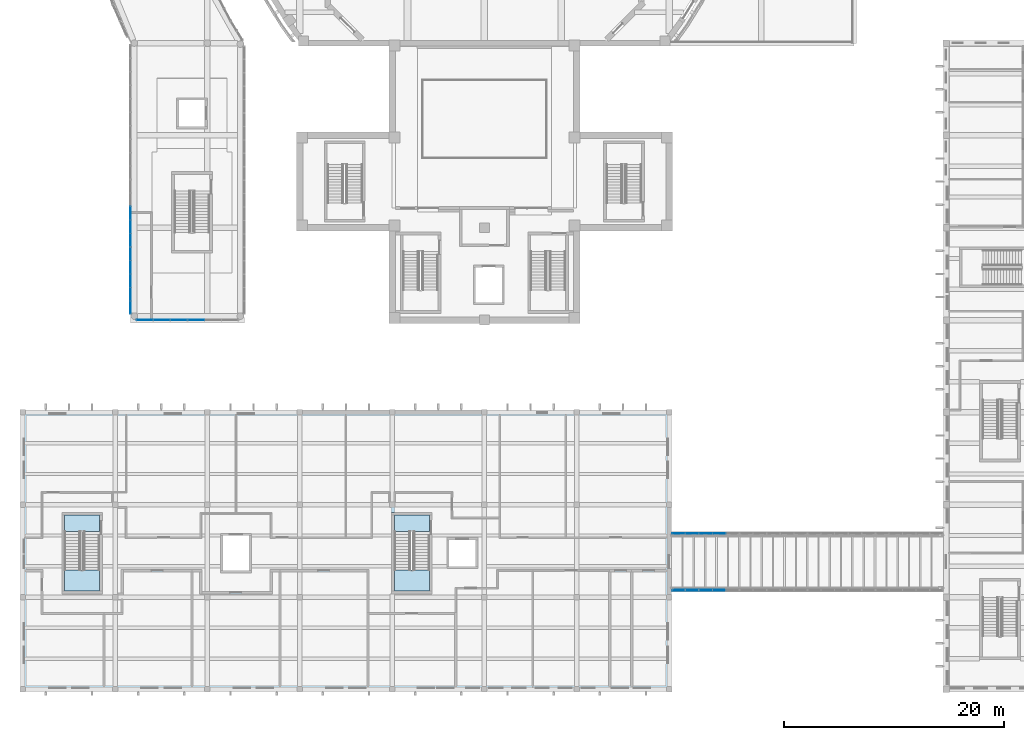
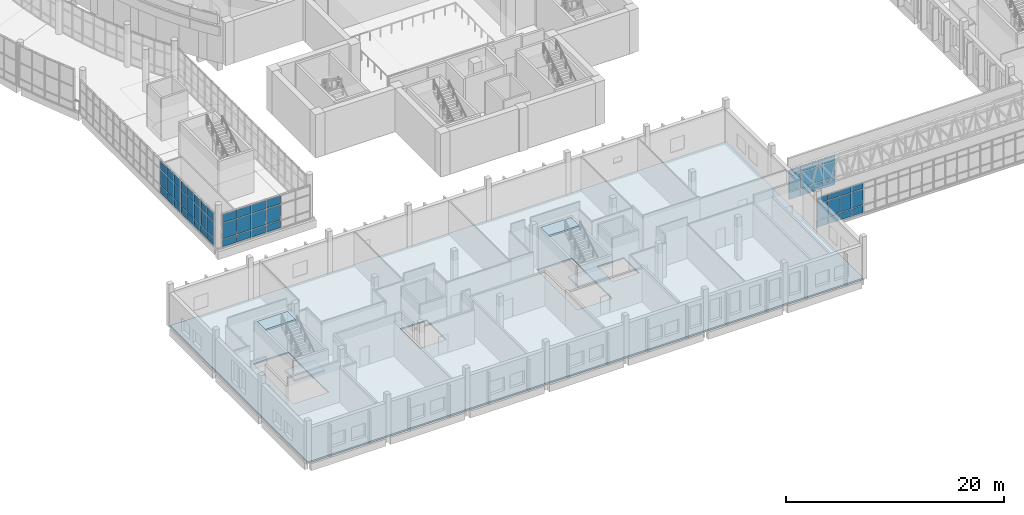
# One storey, part 41 of 119: 60 plates, 5 slabs, 8 elements without a shape of their own.
"""IFC4 building model written with IfcOpenShell, lengths in metres."""

from ifc_helpers import new_model, si_unit, direction, frame, origin, origin_2d, place, context, subcontext, project, spatial, polyline, rectangle, outline, extrude, material, layer, layer_set, type_object, element, aggregate, save


model = new_model("IFC4")

# Units and contexts
model_context = context("Model", 3, precision=1e-05, world=origin(), true_north=direction((0.0, 1.0)))
body_context = subcontext(model_context, "Body", "Model", "MODEL_VIEW")
ifc_project = project(units=[si_unit("LENGTHUNIT", "METRE"), si_unit("AREAUNIT", "SQUARE_METRE"), si_unit("VOLUMEUNIT", "CUBIC_METRE"), si_unit("PLANEANGLEUNIT", "RADIAN"), si_unit("MASSUNIT", "GRAM", prefix="KILO")], contexts=[model_context])

# Site, building, storey
site_placement = place(None, origin())
site = spatial("IfcSite", under=ifc_project, at=site_placement, CompositionType="ELEMENT")
building_placement = place(site_placement, origin())
building = spatial("IfcBuilding", under=site, at=building_placement, Name="Larchfold Concert Hall", CompositionType="ELEMENT")
storey_placement = place(building_placement, frame((0.0, 0.0, 4.800048828125)))
storey = spatial("IfcBuildingStorey", under=building, at=storey_placement, Name="L01", CompositionType="ELEMENT", Elevation=4.800048828125)

# Curtain wall, plates
ifc_material_1 = material(Name="Anodised graphite aluminium curtain wall", Category="aluminium")
ifc_layer_1 = layer(ifc_material_1, 0.14990234375)
ifc_layer_set_1 = layer_set([ifc_layer_1], Name="Anodised graphite aluminium curtain wall")
curtain_wall_type = type_object("IfcCurtainWallType", Name="Curtain wall WG", PredefinedType="NOTDEFINED", material=ifc_layer_set_1)
curtain_wall_1_placement = place(storey_placement, origin())
curtain_wall_1 = element("IfcCurtainWall", 1, at=curtain_wall_1_placement, inside=storey, type_object=curtain_wall_type, Name="Curtain wall CW0206", PredefinedType="NOTDEFINED")
ifc_material_2 = material(Name="Insulated glazing unit, glass", Category="glass")
ifc_layer_2 = layer(ifc_material_2, 0.028076171875)
ifc_layer_set_2 = layer_set([ifc_layer_2], Name="Insulated glazing unit, glass")
plate_type_1 = type_object("IfcPlateType", Name="Glass panel 28", PredefinedType="CURTAIN_PANEL", material=ifc_layer_set_2)
plate_1_placement = place(storey_placement, frame((10.408447265625, 43.908447265625, 0.93994140625), z_axis=(0.0, 0.0, 1.0), x_axis=(0.0, -1.0, 0.0)))
plate_1 = element("IfcPlate", 2, at=plate_1_placement, type_object=plate_type_1, Name="CW0206 panel 3.2", PredefinedType="CURTAIN_PANEL", context=body_context, shape_type="SweptSolid", body=[
    extrude(rectangle(XDim=1.166748046875, YDim=0.028076171875, at=origin_2d()), origin(), (0.0, 0.0, 1.0), 1.719970703125),
])
plate_2_placement = place(storey_placement, frame((10.408447265625, 43.908447265625, 2.740234375), z_axis=(0.0, 0.0, 1.0), x_axis=(0.0, -1.0, 0.0)))
plate_2 = element("IfcPlate", 3, at=plate_2_placement, type_object=plate_type_1, Name="CW0206 panel 3.3", PredefinedType="CURTAIN_PANEL", context=body_context, shape_type="SweptSolid", body=[
    extrude(rectangle(XDim=1.166748046875, YDim=0.028076171875, at=origin_2d()), origin(), (0.0, 0.0, 1.0), 0.929931640625),
])
plate_3_placement = place(storey_placement, frame((10.408447265625, 42.681884765625, 0.93994140625), z_axis=(0.0, 0.0, 1.0), x_axis=(0.0, -1.0, 0.0)))
plate_3 = element("IfcPlate", 4, at=plate_3_placement, type_object=plate_type_1, Name="CW0206 panel 4.2", PredefinedType="CURTAIN_PANEL", context=body_context, shape_type="SweptSolid", body=[
    extrude(rectangle(XDim=1.166748046875, YDim=0.028076171875, at=origin_2d()), origin(), (0.0, 0.0, 1.0), 1.719970703125),
])
plate_4_placement = place(storey_placement, frame((10.408447265625, 42.681884765625, 2.740234375), z_axis=(0.0, 0.0, 1.0), x_axis=(0.0, -1.0, 0.0)))
plate_4 = element("IfcPlate", 5, at=plate_4_placement, type_object=plate_type_1, Name="CW0206 panel 4.3", PredefinedType="CURTAIN_PANEL", context=body_context, shape_type="SweptSolid", body=[
    extrude(rectangle(XDim=1.166748046875, YDim=0.028076171875, at=origin_2d()), origin(), (0.0, 0.0, 1.0), 0.929931640625),
])
plate_5_placement = place(storey_placement, frame((10.408447265625, 41.47021484375, 0.93994140625), z_axis=(0.0, 0.0, 1.0), x_axis=(0.0, -1.0, 0.0)))
plate_5 = element("IfcPlate", 6, at=plate_5_placement, type_object=plate_type_1, Name="CW0206 panel 5.2", PredefinedType="CURTAIN_PANEL", context=body_context, shape_type="SweptSolid", body=[
    extrude(rectangle(XDim=1.13671875, YDim=0.028076171875, at=origin_2d()), origin(), (0.0, 0.0, 1.0), 1.719970703125),
])
plate_6_placement = place(storey_placement, frame((10.408447265625, 41.47021484375, 2.740234375), z_axis=(0.0, 0.0, 1.0), x_axis=(0.0, -1.0, 0.0)))
plate_6 = element("IfcPlate", 7, at=plate_6_placement, type_object=plate_type_1, Name="CW0206 panel 5.3", PredefinedType="CURTAIN_PANEL", context=body_context, shape_type="SweptSolid", body=[
    extrude(rectangle(XDim=1.13671875, YDim=0.028076171875, at=origin_2d()), origin(), (0.0, 0.0, 1.0), 0.929931640625),
])

curtain_wall_2_placement = place(storey_placement, origin())
curtain_wall_2 = element("IfcCurtainWall", 8, at=curtain_wall_2_placement, inside=storey, type_object=curtain_wall_type, Name="Curtain wall CW0207", PredefinedType="NOTDEFINED")
plate_7_placement = place(storey_placement, frame((10.408447265625, 40.21337890625, 0.93994140625), z_axis=(0.0, 0.0, 1.0), x_axis=(0.0, -1.0, 0.0)))
plate_7 = element("IfcPlate", 9, at=plate_7_placement, type_object=plate_type_1, Name="CW0207 panel 1.2", PredefinedType="CURTAIN_PANEL", context=body_context, shape_type="SweptSolid", body=[
    extrude(rectangle(XDim=1.13671875, YDim=0.028076171875, at=origin_2d()), origin(), (0.0, 0.0, 1.0), 1.719970703125),
])
plate_8_placement = place(storey_placement, frame((10.408447265625, 40.21337890625, 2.740234375), z_axis=(0.0, 0.0, 1.0), x_axis=(0.0, -1.0, 0.0)))
plate_8 = element("IfcPlate", 10, at=plate_8_placement, type_object=plate_type_1, Name="CW0207 panel 1.3", PredefinedType="CURTAIN_PANEL", context=body_context, shape_type="SweptSolid", body=[
    extrude(rectangle(XDim=1.13671875, YDim=0.028076171875, at=origin_2d()), origin(), (0.0, 0.0, 1.0), 0.929931640625),
])
plate_9_placement = place(storey_placement, frame((10.408447265625, 39.001953125, 0.93994140625), z_axis=(0.0, 0.0, 1.0), x_axis=(0.0, -1.0, 0.0)))
plate_9 = element("IfcPlate", 11, at=plate_9_placement, type_object=plate_type_1, Name="CW0207 panel 2.2", PredefinedType="CURTAIN_PANEL", context=body_context, shape_type="SweptSolid", body=[
    extrude(rectangle(XDim=1.16650390625, YDim=0.028076171875, at=origin_2d()), origin(), (0.0, 0.0, 1.0), 1.719970703125),
])
plate_10_placement = place(storey_placement, frame((10.408447265625, 39.001953125, 2.740234375), z_axis=(0.0, 0.0, 1.0), x_axis=(0.0, -1.0, 0.0)))
plate_10 = element("IfcPlate", 12, at=plate_10_placement, type_object=plate_type_1, Name="CW0207 panel 2.3", PredefinedType="CURTAIN_PANEL", context=body_context, shape_type="SweptSolid", body=[
    extrude(rectangle(XDim=1.16650390625, YDim=0.028076171875, at=origin_2d()), origin(), (0.0, 0.0, 1.0), 0.929931640625),
])
plate_11_placement = place(storey_placement, frame((10.408447265625, 37.775390625, 0.93994140625), z_axis=(0.0, 0.0, 1.0), x_axis=(0.0, -1.0, 0.0)))
plate_11 = element("IfcPlate", 13, at=plate_11_placement, type_object=plate_type_1, Name="CW0207 panel 3.2", PredefinedType="CURTAIN_PANEL", context=body_context, shape_type="SweptSolid", body=[
    extrude(rectangle(XDim=1.16650390625, YDim=0.028076171875, at=origin_2d()), origin(), (0.0, 0.0, 1.0), 1.719970703125),
])
plate_12_placement = place(storey_placement, frame((10.408447265625, 37.775390625, 2.740234375), z_axis=(0.0, 0.0, 1.0), x_axis=(0.0, -1.0, 0.0)))
plate_12 = element("IfcPlate", 14, at=plate_12_placement, type_object=plate_type_1, Name="CW0207 panel 3.3", PredefinedType="CURTAIN_PANEL", context=body_context, shape_type="SweptSolid", body=[
    extrude(rectangle(XDim=1.16650390625, YDim=0.028076171875, at=origin_2d()), origin(), (0.0, 0.0, 1.0), 0.929931640625),
])
plate_13_placement = place(storey_placement, frame((10.408447265625, 36.548583984375, 0.93994140625), z_axis=(0.0, 0.0, 1.0), x_axis=(0.0, -1.0, 0.0)))
plate_13 = element("IfcPlate", 15, at=plate_13_placement, type_object=plate_type_1, Name="CW0207 panel 4.2", PredefinedType="CURTAIN_PANEL", context=body_context, shape_type="SweptSolid", body=[
    extrude(rectangle(XDim=1.16650390625, YDim=0.028076171875, at=origin_2d()), origin(), (0.0, 0.0, 1.0), 1.719970703125),
])
plate_14_placement = place(storey_placement, frame((10.408447265625, 36.548583984375, 2.740234375), z_axis=(0.0, 0.0, 1.0), x_axis=(0.0, -1.0, 0.0)))
plate_14 = element("IfcPlate", 16, at=plate_14_placement, type_object=plate_type_1, Name="CW0207 panel 4.3", PredefinedType="CURTAIN_PANEL", context=body_context, shape_type="SweptSolid", body=[
    extrude(rectangle(XDim=1.16650390625, YDim=0.028076171875, at=origin_2d()), origin(), (0.0, 0.0, 1.0), 0.929931640625),
])
plate_15_placement = place(storey_placement, frame((10.408447265625, 35.337158203125, 0.93994140625), z_axis=(0.0, 0.0, 1.0), x_axis=(0.0, -1.0, 0.0)))
plate_15 = element("IfcPlate", 17, at=plate_15_placement, type_object=plate_type_1, Name="CW0207 panel 5.2", PredefinedType="CURTAIN_PANEL", context=body_context, shape_type="SweptSolid", body=[
    extrude(rectangle(XDim=1.13671875, YDim=0.028076171875, at=origin_2d()), origin(), (0.0, 0.0, 1.0), 1.719970703125),
])
plate_16_placement = place(storey_placement, frame((10.408447265625, 35.337158203125, 2.740234375), z_axis=(0.0, 0.0, 1.0), x_axis=(0.0, -1.0, 0.0)))
plate_16 = element("IfcPlate", 18, at=plate_16_placement, type_object=plate_type_1, Name="CW0207 panel 5.3", PredefinedType="CURTAIN_PANEL", context=body_context, shape_type="SweptSolid", body=[
    extrude(rectangle(XDim=1.13671875, YDim=0.028076171875, at=origin_2d()), origin(), (0.0, 0.0, 1.0), 0.929931640625),
])

curtain_wall_3_placement = place(storey_placement, origin())
curtain_wall_3 = element("IfcCurtainWall", 19, at=curtain_wall_3_placement, inside=storey, type_object=curtain_wall_type, Name="Curtain wall CW0208", PredefinedType="NOTDEFINED")
plate_17_placement = place(storey_placement, frame((11.707763671875, 34.199951171875, 0.93994140625), z_axis=(0.0, 0.0, 1.0), x_axis=(1.0, 0.0, 0.0)))
plate_17 = element("IfcPlate", 20, at=plate_17_placement, type_object=plate_type_1, Name="CW0208 panel 1.2", PredefinedType="CURTAIN_PANEL", context=body_context, shape_type="SweptSolid", body=[
    extrude(rectangle(XDim=1.46435546875, YDim=0.028076171875, at=origin_2d()), origin(), (0.0, 0.0, 1.0), 1.719970703125),
])
plate_18_placement = place(storey_placement, frame((11.707763671875, 34.199951171875, 2.740234375), z_axis=(0.0, 0.0, 1.0), x_axis=(1.0, 0.0, 0.0)))
plate_18 = element("IfcPlate", 21, at=plate_18_placement, type_object=plate_type_1, Name="CW0208 panel 1.3", PredefinedType="CURTAIN_PANEL", context=body_context, shape_type="SweptSolid", body=[
    extrude(rectangle(XDim=1.46435546875, YDim=0.028076171875, at=origin_2d()), origin(), (0.0, 0.0, 1.0), 0.929931640625),
])
plate_19_placement = place(storey_placement, frame((13.2470703125, 34.199951171875, 0.93994140625), z_axis=(0.0, 0.0, 1.0), x_axis=(1.0, 0.0, 0.0)))
plate_19 = element("IfcPlate", 22, at=plate_19_placement, type_object=plate_type_1, Name="CW0208 panel 2.2", PredefinedType="CURTAIN_PANEL", context=body_context, shape_type="SweptSolid", body=[
    extrude(rectangle(XDim=1.494384765625, YDim=0.028076171875, at=origin_2d()), origin(), (0.0, 0.0, 1.0), 1.719970703125),
])
plate_20_placement = place(storey_placement, frame((13.2470703125, 34.199951171875, 2.740234375), z_axis=(0.0, 0.0, 1.0), x_axis=(1.0, 0.0, 0.0)))
plate_20 = element("IfcPlate", 23, at=plate_20_placement, type_object=plate_type_1, Name="CW0208 panel 2.3", PredefinedType="CURTAIN_PANEL", context=body_context, shape_type="SweptSolid", body=[
    extrude(rectangle(XDim=1.494384765625, YDim=0.028076171875, at=origin_2d()), origin(), (0.0, 0.0, 1.0), 0.929931640625),
])
plate_21_placement = place(storey_placement, frame((14.786376953125, 34.199951171875, 0.93994140625), z_axis=(0.0, 0.0, 1.0), x_axis=(1.0, 0.0, 0.0)))
plate_21 = element("IfcPlate", 24, at=plate_21_placement, type_object=plate_type_1, Name="CW0208 panel 3.2", PredefinedType="CURTAIN_PANEL", context=body_context, shape_type="SweptSolid", body=[
    extrude(rectangle(XDim=1.46435546875, YDim=0.028076171875, at=origin_2d()), origin(), (0.0, 0.0, 1.0), 1.719970703125),
])
plate_22_placement = place(storey_placement, frame((14.786376953125, 34.199951171875, 2.740234375), z_axis=(0.0, 0.0, 1.0), x_axis=(1.0, 0.0, 0.0)))
plate_22 = element("IfcPlate", 25, at=plate_22_placement, type_object=plate_type_1, Name="CW0208 panel 3.3", PredefinedType="CURTAIN_PANEL", context=body_context, shape_type="SweptSolid", body=[
    extrude(rectangle(XDim=1.46435546875, YDim=0.028076171875, at=origin_2d()), origin(), (0.0, 0.0, 1.0), 0.929931640625),
])

curtain_wall_4_placement = place(storey_placement, origin())
curtain_wall_4 = element("IfcCurtainWall", 26, at=curtain_wall_4_placement, inside=storey, type_object=curtain_wall_type, Name="Curtain wall CW0209", PredefinedType="NOTDEFINED")
plate_23_placement = place(storey_placement, frame((16.370849609375, 34.199951171875, 0.93994140625), z_axis=(0.0, 0.0, 1.0), x_axis=(1.0, 0.0, 0.0)))
plate_23 = element("IfcPlate", 27, at=plate_23_placement, type_object=plate_type_1, Name="CW0209 panel 1.2", PredefinedType="CURTAIN_PANEL", context=body_context, shape_type="SweptSolid", body=[
    extrude(rectangle(XDim=1.46435546875, YDim=0.028076171875, at=origin_2d()), origin(), (0.0, 0.0, 1.0), 1.719970703125),
])
plate_24_placement = place(storey_placement, frame((16.370849609375, 34.199951171875, 2.740234375), z_axis=(0.0, 0.0, 1.0), x_axis=(1.0, 0.0, 0.0)))
plate_24 = element("IfcPlate", 28, at=plate_24_placement, type_object=plate_type_1, Name="CW0209 panel 1.3", PredefinedType="CURTAIN_PANEL", context=body_context, shape_type="SweptSolid", body=[
    extrude(rectangle(XDim=1.46435546875, YDim=0.028076171875, at=origin_2d()), origin(), (0.0, 0.0, 1.0), 0.929931640625),
])

curtain_wall_5_placement = place(storey_placement, origin())
curtain_wall_5 = element("IfcCurtainWall", 29, at=curtain_wall_5_placement, inside=storey, type_object=curtain_wall_type, Name="Curtain wall CW0303", PredefinedType="NOTDEFINED")
plate_25_placement = place(storey_placement, frame((60.2626953125, 9.626708984375, 0.93994140625), z_axis=(0.0, 0.0, 1.0), x_axis=(1.0, 0.0, 0.0)))
plate_25 = element("IfcPlate", 30, at=plate_25_placement, type_object=plate_type_1, Name="CW0303 panel 1.2", PredefinedType="CURTAIN_PANEL", context=body_context, shape_type="SweptSolid", body=[
    extrude(rectangle(XDim=1.145751953125, YDim=0.028076171875, at=origin_2d()), origin(), (0.0, 0.0, 1.0), 1.719970703125),
])
plate_26_placement = place(storey_placement, frame((60.2626953125, 9.626708984375, 2.740234375), z_axis=(0.0, 0.0, 1.0), x_axis=(1.0, 0.0, 0.0)))
plate_26 = element("IfcPlate", 31, at=plate_26_placement, type_object=plate_type_1, Name="CW0303 panel 1.3", PredefinedType="CURTAIN_PANEL", context=body_context, shape_type="SweptSolid", body=[
    extrude(rectangle(XDim=1.145751953125, YDim=0.028076171875, at=origin_2d()), origin(), (0.0, 0.0, 1.0), 0.619873046875),
])
plate_27_placement = place(storey_placement, frame((61.4833984375, 9.626708984375, 0.93994140625), z_axis=(0.0, 0.0, 1.0), x_axis=(1.0, 0.0, 0.0)))
plate_27 = element("IfcPlate", 32, at=plate_27_placement, type_object=plate_type_1, Name="CW0303 panel 2.2", PredefinedType="CURTAIN_PANEL", context=body_context, shape_type="SweptSolid", body=[
    extrude(rectangle(XDim=1.17578125, YDim=0.028076171875, at=origin_2d()), origin(), (0.0, 0.0, 1.0), 1.719970703125),
])
plate_28_placement = place(storey_placement, frame((61.4833984375, 9.626708984375, 2.740234375), z_axis=(0.0, 0.0, 1.0), x_axis=(1.0, 0.0, 0.0)))
plate_28 = element("IfcPlate", 33, at=plate_28_placement, type_object=plate_type_1, Name="CW0303 panel 2.3", PredefinedType="CURTAIN_PANEL", context=body_context, shape_type="SweptSolid", body=[
    extrude(rectangle(XDim=1.17578125, YDim=0.028076171875, at=origin_2d()), origin(), (0.0, 0.0, 1.0), 0.619873046875),
])
plate_29_placement = place(storey_placement, frame((62.71923828125, 9.626708984375, 0.93994140625), z_axis=(0.0, 0.0, 1.0), x_axis=(1.0, 0.0, 0.0)))
plate_29 = element("IfcPlate", 34, at=plate_29_placement, type_object=plate_type_1, Name="CW0303 panel 3.2", PredefinedType="CURTAIN_PANEL", context=body_context, shape_type="SweptSolid", body=[
    extrude(rectangle(XDim=1.17578125, YDim=0.028076171875, at=origin_2d()), origin(), (0.0, 0.0, 1.0), 1.719970703125),
])
plate_30_placement = place(storey_placement, frame((62.71923828125, 9.626708984375, 2.740234375), z_axis=(0.0, 0.0, 1.0), x_axis=(1.0, 0.0, 0.0)))
plate_30 = element("IfcPlate", 35, at=plate_30_placement, type_object=plate_type_1, Name="CW0303 panel 3.3", PredefinedType="CURTAIN_PANEL", context=body_context, shape_type="SweptSolid", body=[
    extrude(rectangle(XDim=1.17578125, YDim=0.028076171875, at=origin_2d()), origin(), (0.0, 0.0, 1.0), 0.619873046875),
])
plate_31_placement = place(storey_placement, frame((63.955078125, 9.626708984375, 0.93994140625), z_axis=(0.0, 0.0, 1.0), x_axis=(1.0, 0.0, 0.0)))
plate_31 = element("IfcPlate", 36, at=plate_31_placement, type_object=plate_type_1, Name="CW0303 panel 4.2", PredefinedType="CURTAIN_PANEL", context=body_context, shape_type="SweptSolid", body=[
    extrude(rectangle(XDim=1.17578125, YDim=0.028076171875, at=origin_2d()), origin(), (0.0, 0.0, 1.0), 1.719970703125),
])
plate_32_placement = place(storey_placement, frame((63.955078125, 9.626708984375, 2.740234375), z_axis=(0.0, 0.0, 1.0), x_axis=(1.0, 0.0, 0.0)))
plate_32 = element("IfcPlate", 37, at=plate_32_placement, type_object=plate_type_1, Name="CW0303 panel 4.3", PredefinedType="CURTAIN_PANEL", context=body_context, shape_type="SweptSolid", body=[
    extrude(rectangle(XDim=1.17578125, YDim=0.028076171875, at=origin_2d()), origin(), (0.0, 0.0, 1.0), 0.619873046875),
])

curtain_wall_6_placement = place(storey_placement, origin())
curtain_wall_6 = element("IfcCurtainWall", 38, at=curtain_wall_6_placement, inside=storey, type_object=curtain_wall_type, Name="Curtain wall CW0307", PredefinedType="NOTDEFINED")
plate_33_placement = place(storey_placement, frame((60.2626953125, 14.7734375, 0.93994140625), z_axis=(0.0, 0.0, 1.0), x_axis=(1.0, 0.0, 0.0)))
plate_33 = element("IfcPlate", 39, at=plate_33_placement, type_object=plate_type_1, Name="CW0307 panel 1.2", PredefinedType="CURTAIN_PANEL", context=body_context, shape_type="SweptSolid", body=[
    extrude(rectangle(XDim=1.145751953125, YDim=0.028076171875, at=origin_2d()), origin(), (0.0, 0.0, 1.0), 1.719970703125),
])
plate_34_placement = place(storey_placement, frame((60.2626953125, 14.7734375, 2.740234375), z_axis=(0.0, 0.0, 1.0), x_axis=(1.0, 0.0, 0.0)))
plate_34 = element("IfcPlate", 40, at=plate_34_placement, type_object=plate_type_1, Name="CW0307 panel 1.3", PredefinedType="CURTAIN_PANEL", context=body_context, shape_type="SweptSolid", body=[
    extrude(rectangle(XDim=1.145751953125, YDim=0.028076171875, at=origin_2d()), origin(), (0.0, 0.0, 1.0), 0.619873046875),
])
plate_35_placement = place(storey_placement, frame((61.4833984375, 14.7734375, 0.93994140625), z_axis=(0.0, 0.0, 1.0), x_axis=(1.0, 0.0, 0.0)))
plate_35 = element("IfcPlate", 41, at=plate_35_placement, type_object=plate_type_1, Name="CW0307 panel 2.2", PredefinedType="CURTAIN_PANEL", context=body_context, shape_type="SweptSolid", body=[
    extrude(rectangle(XDim=1.17578125, YDim=0.028076171875, at=origin_2d()), origin(), (0.0, 0.0, 1.0), 1.719970703125),
])
plate_36_placement = place(storey_placement, frame((61.4833984375, 14.7734375, 2.740234375), z_axis=(0.0, 0.0, 1.0), x_axis=(1.0, 0.0, 0.0)))
plate_36 = element("IfcPlate", 42, at=plate_36_placement, type_object=plate_type_1, Name="CW0307 panel 2.3", PredefinedType="CURTAIN_PANEL", context=body_context, shape_type="SweptSolid", body=[
    extrude(rectangle(XDim=1.17578125, YDim=0.028076171875, at=origin_2d()), origin(), (0.0, 0.0, 1.0), 0.619873046875),
])
plate_37_placement = place(storey_placement, frame((62.71923828125, 14.7734375, 0.93994140625), z_axis=(0.0, 0.0, 1.0), x_axis=(1.0, 0.0, 0.0)))
plate_37 = element("IfcPlate", 43, at=plate_37_placement, type_object=plate_type_1, Name="CW0307 panel 3.2", PredefinedType="CURTAIN_PANEL", context=body_context, shape_type="SweptSolid", body=[
    extrude(rectangle(XDim=1.17578125, YDim=0.028076171875, at=origin_2d()), origin(), (0.0, 0.0, 1.0), 1.719970703125),
])
plate_38_placement = place(storey_placement, frame((62.71923828125, 14.7734375, 2.740234375), z_axis=(0.0, 0.0, 1.0), x_axis=(1.0, 0.0, 0.0)))
plate_38 = element("IfcPlate", 44, at=plate_38_placement, type_object=plate_type_1, Name="CW0307 panel 3.3", PredefinedType="CURTAIN_PANEL", context=body_context, shape_type="SweptSolid", body=[
    extrude(rectangle(XDim=1.17578125, YDim=0.028076171875, at=origin_2d()), origin(), (0.0, 0.0, 1.0), 0.619873046875),
])
plate_39_placement = place(storey_placement, frame((63.955078125, 14.7734375, 0.93994140625), z_axis=(0.0, 0.0, 1.0), x_axis=(1.0, 0.0, 0.0)))
plate_39 = element("IfcPlate", 45, at=plate_39_placement, type_object=plate_type_1, Name="CW0307 panel 4.2", PredefinedType="CURTAIN_PANEL", context=body_context, shape_type="SweptSolid", body=[
    extrude(rectangle(XDim=1.17578125, YDim=0.028076171875, at=origin_2d()), origin(), (0.0, 0.0, 1.0), 1.719970703125),
])
plate_40_placement = place(storey_placement, frame((63.955078125, 14.7734375, 2.740234375), z_axis=(0.0, 0.0, 1.0), x_axis=(1.0, 0.0, 0.0)))
plate_40 = element("IfcPlate", 46, at=plate_40_placement, type_object=plate_type_1, Name="CW0307 panel 4.3", PredefinedType="CURTAIN_PANEL", context=body_context, shape_type="SweptSolid", body=[
    extrude(rectangle(XDim=1.17578125, YDim=0.028076171875, at=origin_2d()), origin(), (0.0, 0.0, 1.0), 0.619873046875),
])

# Plate
ifc_material_3 = material(Name="White insulated panel")
ifc_layer_3 = layer(ifc_material_3, 0.06005859375)
ifc_layer_set_3 = layer_set([ifc_layer_3], Name="White insulated panel")
plate_type_2 = type_object("IfcPlateType", Name="Insulated spandrel panel 60", PredefinedType="CURTAIN_PANEL", material=ifc_layer_set_3)
plate_41_placement = place(storey_placement, frame((10.408447265625, 43.908447265625, 0.080078125), z_axis=(0.0, 0.0, 1.0), x_axis=(0.0, -1.0, 0.0)))
plate_41 = element("IfcPlate", 47, at=plate_41_placement, type_object=plate_type_2, Name="CW0206 panel 3.1", PredefinedType="CURTAIN_PANEL", context=body_context, shape_type="SweptSolid", body=[
    extrude(rectangle(XDim=1.166748046875, YDim=0.06005859375, at=origin_2d()), origin(), (0.0, 0.0, 1.0), 0.77978515625),
])

plate_42_placement = place(storey_placement, frame((10.408447265625, 42.681884765625, 0.080078125), z_axis=(0.0, 0.0, 1.0), x_axis=(0.0, -1.0, 0.0)))
plate_42 = element("IfcPlate", 48, at=plate_42_placement, type_object=plate_type_2, Name="CW0206 panel 4.1", PredefinedType="CURTAIN_PANEL", context=body_context, shape_type="SweptSolid", body=[
    extrude(rectangle(XDim=1.166748046875, YDim=0.06005859375, at=origin_2d()), origin(), (0.0, 0.0, 1.0), 0.77978515625),
])

plate_43_placement = place(storey_placement, frame((10.408447265625, 41.47021484375, 0.080078125), z_axis=(0.0, 0.0, 1.0), x_axis=(0.0, -1.0, 0.0)))
plate_43 = element("IfcPlate", 49, at=plate_43_placement, type_object=plate_type_2, Name="CW0206 panel 5.1", PredefinedType="CURTAIN_PANEL", context=body_context, shape_type="SweptSolid", body=[
    extrude(rectangle(XDim=1.13671875, YDim=0.06005859375, at=origin_2d()), origin(), (0.0, 0.0, 1.0), 0.77978515625),
])

aggregate(curtain_wall_1, [plate_41, plate_1, plate_2, plate_42, plate_3, plate_4, plate_43, plate_5, plate_6])

plate_44_placement = place(storey_placement, frame((10.408447265625, 40.21337890625, 0.080078125), z_axis=(0.0, 0.0, 1.0), x_axis=(0.0, -1.0, 0.0)))
plate_44 = element("IfcPlate", 50, at=plate_44_placement, type_object=plate_type_2, Name="CW0207 panel 1.1", PredefinedType="CURTAIN_PANEL", context=body_context, shape_type="SweptSolid", body=[
    extrude(rectangle(XDim=1.13671875, YDim=0.06005859375, at=origin_2d()), origin(), (0.0, 0.0, 1.0), 0.77978515625),
])

plate_45_placement = place(storey_placement, frame((10.408447265625, 39.001953125, 0.080078125), z_axis=(0.0, 0.0, 1.0), x_axis=(0.0, -1.0, 0.0)))
plate_45 = element("IfcPlate", 51, at=plate_45_placement, type_object=plate_type_2, Name="CW0207 panel 2.1", PredefinedType="CURTAIN_PANEL", context=body_context, shape_type="SweptSolid", body=[
    extrude(rectangle(XDim=1.16650390625, YDim=0.06005859375, at=origin_2d()), origin(), (0.0, 0.0, 1.0), 0.77978515625),
])

plate_46_placement = place(storey_placement, frame((10.408447265625, 37.775390625, 0.080078125), z_axis=(0.0, 0.0, 1.0), x_axis=(0.0, -1.0, 0.0)))
plate_46 = element("IfcPlate", 52, at=plate_46_placement, type_object=plate_type_2, Name="CW0207 panel 3.1", PredefinedType="CURTAIN_PANEL", context=body_context, shape_type="SweptSolid", body=[
    extrude(rectangle(XDim=1.16650390625, YDim=0.06005859375, at=origin_2d()), origin(), (0.0, 0.0, 1.0), 0.77978515625),
])

plate_47_placement = place(storey_placement, frame((10.408447265625, 36.548583984375, 0.080078125), z_axis=(0.0, 0.0, 1.0), x_axis=(0.0, -1.0, 0.0)))
plate_47 = element("IfcPlate", 53, at=plate_47_placement, type_object=plate_type_2, Name="CW0207 panel 4.1", PredefinedType="CURTAIN_PANEL", context=body_context, shape_type="SweptSolid", body=[
    extrude(rectangle(XDim=1.16650390625, YDim=0.06005859375, at=origin_2d()), origin(), (0.0, 0.0, 1.0), 0.77978515625),
])

plate_48_placement = place(storey_placement, frame((10.408447265625, 35.337158203125, 0.080078125), z_axis=(0.0, 0.0, 1.0), x_axis=(0.0, -1.0, 0.0)))
plate_48 = element("IfcPlate", 54, at=plate_48_placement, type_object=plate_type_2, Name="CW0207 panel 5.1", PredefinedType="CURTAIN_PANEL", context=body_context, shape_type="SweptSolid", body=[
    extrude(rectangle(XDim=1.13671875, YDim=0.06005859375, at=origin_2d()), origin(), (0.0, 0.0, 1.0), 0.77978515625),
])

aggregate(curtain_wall_2, [plate_44, plate_7, plate_8, plate_45, plate_9, plate_10, plate_46, plate_11, plate_12, plate_47, plate_13, plate_14, plate_48, plate_15, plate_16])

plate_49_placement = place(storey_placement, frame((11.707763671875, 34.199951171875, 0.080078125), z_axis=(0.0, 0.0, 1.0), x_axis=(1.0, 0.0, 0.0)))
plate_49 = element("IfcPlate", 55, at=plate_49_placement, type_object=plate_type_2, Name="CW0208 panel 1.1", PredefinedType="CURTAIN_PANEL", context=body_context, shape_type="SweptSolid", body=[
    extrude(rectangle(XDim=1.46435546875, YDim=0.06005859375, at=origin_2d()), origin(), (0.0, 0.0, 1.0), 0.77978515625),
])

plate_50_placement = place(storey_placement, frame((13.2470703125, 34.199951171875, 0.080078125), z_axis=(0.0, 0.0, 1.0), x_axis=(1.0, 0.0, 0.0)))
plate_50 = element("IfcPlate", 56, at=plate_50_placement, type_object=plate_type_2, Name="CW0208 panel 2.1", PredefinedType="CURTAIN_PANEL", context=body_context, shape_type="SweptSolid", body=[
    extrude(rectangle(XDim=1.494384765625, YDim=0.06005859375, at=origin_2d()), origin(), (0.0, 0.0, 1.0), 0.77978515625),
])

plate_51_placement = place(storey_placement, frame((14.786376953125, 34.199951171875, 0.080078125), z_axis=(0.0, 0.0, 1.0), x_axis=(1.0, 0.0, 0.0)))
plate_51 = element("IfcPlate", 57, at=plate_51_placement, type_object=plate_type_2, Name="CW0208 panel 3.1", PredefinedType="CURTAIN_PANEL", context=body_context, shape_type="SweptSolid", body=[
    extrude(rectangle(XDim=1.46435546875, YDim=0.06005859375, at=origin_2d()), origin(), (0.0, 0.0, 1.0), 0.77978515625),
])

aggregate(curtain_wall_3, [plate_49, plate_17, plate_18, plate_50, plate_19, plate_20, plate_51, plate_21, plate_22])

plate_52_placement = place(storey_placement, frame((16.370849609375, 34.199951171875, 0.080078125), z_axis=(0.0, 0.0, 1.0), x_axis=(1.0, 0.0, 0.0)))
plate_52 = element("IfcPlate", 58, at=plate_52_placement, type_object=plate_type_2, Name="CW0209 panel 1.1", PredefinedType="CURTAIN_PANEL", context=body_context, shape_type="SweptSolid", body=[
    extrude(rectangle(XDim=1.46435546875, YDim=0.06005859375, at=origin_2d()), origin(), (0.0, 0.0, 1.0), 0.77978515625),
])

aggregate(curtain_wall_4, [plate_52, plate_23, plate_24])

plate_53_placement = place(storey_placement, frame((60.2626953125, 9.626708984375, 0.080078125), z_axis=(0.0, 0.0, 1.0), x_axis=(1.0, 0.0, 0.0)))
plate_53 = element("IfcPlate", 59, at=plate_53_placement, type_object=plate_type_2, Name="CW0303 panel 1.1", PredefinedType="CURTAIN_PANEL", context=body_context, shape_type="SweptSolid", body=[
    extrude(rectangle(XDim=1.145751953125, YDim=0.06005859375, at=origin_2d()), origin(), (0.0, 0.0, 1.0), 0.77978515625),
])

plate_54_placement = place(storey_placement, frame((61.4833984375, 9.626708984375, 0.080078125), z_axis=(0.0, 0.0, 1.0), x_axis=(1.0, 0.0, 0.0)))
plate_54 = element("IfcPlate", 60, at=plate_54_placement, type_object=plate_type_2, Name="CW0303 panel 2.1", PredefinedType="CURTAIN_PANEL", context=body_context, shape_type="SweptSolid", body=[
    extrude(rectangle(XDim=1.17578125, YDim=0.06005859375, at=origin_2d()), origin(), (0.0, 0.0, 1.0), 0.77978515625),
])

plate_55_placement = place(storey_placement, frame((62.71923828125, 9.626708984375, 0.080078125), z_axis=(0.0, 0.0, 1.0), x_axis=(1.0, 0.0, 0.0)))
plate_55 = element("IfcPlate", 61, at=plate_55_placement, type_object=plate_type_2, Name="CW0303 panel 3.1", PredefinedType="CURTAIN_PANEL", context=body_context, shape_type="SweptSolid", body=[
    extrude(rectangle(XDim=1.17578125, YDim=0.06005859375, at=origin_2d()), origin(), (0.0, 0.0, 1.0), 0.77978515625),
])

plate_56_placement = place(storey_placement, frame((63.955078125, 9.626708984375, 0.080078125), z_axis=(0.0, 0.0, 1.0), x_axis=(1.0, 0.0, 0.0)))
plate_56 = element("IfcPlate", 62, at=plate_56_placement, type_object=plate_type_2, Name="CW0303 panel 4.1", PredefinedType="CURTAIN_PANEL", context=body_context, shape_type="SweptSolid", body=[
    extrude(rectangle(XDim=1.17578125, YDim=0.06005859375, at=origin_2d()), origin(), (0.0, 0.0, 1.0), 0.77978515625),
])

aggregate(curtain_wall_5, [plate_53, plate_25, plate_26, plate_54, plate_27, plate_28, plate_55, plate_29, plate_30, plate_56, plate_31, plate_32])

plate_57_placement = place(storey_placement, frame((60.2626953125, 14.7734375, 0.080078125), z_axis=(0.0, 0.0, 1.0), x_axis=(1.0, 0.0, 0.0)))
plate_57 = element("IfcPlate", 63, at=plate_57_placement, type_object=plate_type_2, Name="CW0307 panel 1.1", PredefinedType="CURTAIN_PANEL", context=body_context, shape_type="SweptSolid", body=[
    extrude(rectangle(XDim=1.145751953125, YDim=0.06005859375, at=origin_2d()), origin(), (0.0, 0.0, 1.0), 0.77978515625),
])

plate_58_placement = place(storey_placement, frame((61.4833984375, 14.7734375, 0.080078125), z_axis=(0.0, 0.0, 1.0), x_axis=(1.0, 0.0, 0.0)))
plate_58 = element("IfcPlate", 64, at=plate_58_placement, type_object=plate_type_2, Name="CW0307 panel 2.1", PredefinedType="CURTAIN_PANEL", context=body_context, shape_type="SweptSolid", body=[
    extrude(rectangle(XDim=1.17578125, YDim=0.06005859375, at=origin_2d()), origin(), (0.0, 0.0, 1.0), 0.77978515625),
])

plate_59_placement = place(storey_placement, frame((62.71923828125, 14.7734375, 0.080078125), z_axis=(0.0, 0.0, 1.0), x_axis=(1.0, 0.0, 0.0)))
plate_59 = element("IfcPlate", 65, at=plate_59_placement, type_object=plate_type_2, Name="CW0307 panel 3.1", PredefinedType="CURTAIN_PANEL", context=body_context, shape_type="SweptSolid", body=[
    extrude(rectangle(XDim=1.17578125, YDim=0.06005859375, at=origin_2d()), origin(), (0.0, 0.0, 1.0), 0.77978515625),
])

plate_60_placement = place(storey_placement, frame((63.955078125, 14.7734375, 0.080078125), z_axis=(0.0, 0.0, 1.0), x_axis=(1.0, 0.0, 0.0)))
plate_60 = element("IfcPlate", 66, at=plate_60_placement, type_object=plate_type_2, Name="CW0307 panel 4.1", PredefinedType="CURTAIN_PANEL", context=body_context, shape_type="SweptSolid", body=[
    extrude(rectangle(XDim=1.17578125, YDim=0.06005859375, at=origin_2d()), origin(), (0.0, 0.0, 1.0), 0.77978515625),
])

aggregate(curtain_wall_6, [plate_57, plate_33, plate_34, plate_58, plate_35, plate_36, plate_59, plate_37, plate_38, plate_60, plate_39, plate_40])

# Slab
ifc_material_4 = material(Name="Concrete C35/45", Category="concrete")
ifc_layer_4 = layer(ifc_material_4, 0.159912109375)
ifc_layer_set_4 = layer_set([ifc_layer_4], Name="Concrete C35/45")
slab_type_1 = type_object("IfcSlabType", Name="Slab 160", PredefinedType="FLOOR", material=ifc_layer_set_4)
slab_1_placement = place(storey_placement, frame((0.0, 0.0, -0.16015625)))
element("IfcSlab", 67, at=slab_1_placement, inside=storey, type_object=slab_type_1, Name="Slab S0001", PredefinedType="FLOOR", context=body_context, shape_type="SweptSolid", body=[
    extrude(outline(polyline([(0.60009765625, 0.60009765625), (59.39990234375, 0.60009765625), (59.39990234375, 25.800048828125), (0.60009765625, 25.800048828125), (0.60009765625, 0.60009765625)]), holes=[polyline([(4.14990234375, 9.300048828125), (4.14990234375, 16.699951171875), (7.85009765625, 16.699951171875), (7.85009765625, 9.300048828125), (4.14990234375, 9.300048828125)]), polyline([(18.60009765625, 11.199951171875), (18.60009765625, 14.800048828125), (21.39990234375, 14.800048828125), (21.39990234375, 11.199951171875), (18.60009765625, 11.199951171875)]), polyline([(34.14990234375, 9.300048828125), (34.14990234375, 16.699951171875), (37.85009765625, 16.699951171875), (37.85009765625, 9.300048828125), (34.14990234375, 9.300048828125)]), polyline([(39.199951171875, 11.60009765625), (39.199951171875, 14.39990234375), (42.0, 14.39990234375), (42.0, 11.60009765625), (39.199951171875, 11.60009765625)])]), origin(), (0.0, 0.0, 1.0), 0.16015625),
])

# Stair, slabs
ifc_material_5 = material(Name="Concrete C35/45", Category="concrete")
stair_type = type_object("IfcStairType", Name="Stair RC half-turn enclosed", PredefinedType="HALF_TURN_STAIR", material=ifc_material_5)
stair_1_placement = place(storey_placement, origin())
stair_1 = element("IfcStair", 68, at=stair_1_placement, inside=storey, type_object=stair_type, Name="Stair SW1", PredefinedType="HALF_TURN_STAIR")
ifc_material_6 = material(Name="Concrete C35/45", Category="concrete")
ifc_layer_5 = layer(ifc_material_6, 0.199951171875)
ifc_layer_set_5 = layer_set([ifc_layer_5], Name="Concrete C35/45")
slab_type_2 = type_object("IfcSlabType", Name="Stair landing RC 200", PredefinedType="LANDING", material=ifc_layer_set_5)
slab_2_placement = place(storey_placement, frame((0.0, 0.0, 2.199951171875)))
slab_2 = element("IfcSlab", 69, at=slab_2_placement, type_object=slab_type_2, Name="ST21 landing 1", PredefinedType="LANDING", context=body_context, shape_type="SweptSolid", body=[
    extrude(outline(polyline([(4.39990234375, 11.43994140625), (4.39990234375, 9.550048828125), (7.599853515625, 9.550048828125), (7.599853515625, 11.43994140625), (4.39990234375, 11.43994140625)])), origin(), (0.0, 0.0, 1.0), 0.199951171875),
])
slab_3_placement = place(storey_placement, frame((0.0, 0.0, 4.599853515625)))
slab_3 = element("IfcSlab", 70, at=slab_3_placement, type_object=slab_type_2, Name="ST21 landing 2", PredefinedType="LANDING", context=body_context, shape_type="SweptSolid", body=[
    extrude(outline(polyline([(4.39990234375, 16.449951171875), (4.39990234375, 14.949951171875), (7.60009765625, 14.949951171875), (7.60009765625, 16.449951171875), (4.39990234375, 16.449951171875)])), origin(), (0.0, 0.0, 1.0), 0.2001953125),
])
aggregate(stair_1, [slab_2, slab_3])

stair_2_placement = place(storey_placement, origin())
stair_2 = element("IfcStair", 71, at=stair_2_placement, inside=storey, type_object=stair_type, Name="Stair SW2", PredefinedType="HALF_TURN_STAIR")
slab_4_placement = place(storey_placement, frame((0.0, 0.0, 2.199951171875)))
slab_4 = element("IfcSlab", 72, at=slab_4_placement, type_object=slab_type_2, Name="ST22 landing 1", PredefinedType="LANDING", context=body_context, shape_type="SweptSolid", body=[
    extrude(outline(polyline([(34.39990234375, 11.43994140625), (34.39990234375, 9.550048828125), (37.599853515625, 9.550048828125), (37.599853515625, 11.43994140625), (34.39990234375, 11.43994140625)])), origin(), (0.0, 0.0, 1.0), 0.199951171875),
])
slab_5_placement = place(storey_placement, frame((0.0, 0.0, 4.599853515625)))
slab_5 = element("IfcSlab", 73, at=slab_5_placement, type_object=slab_type_2, Name="ST22 landing 2", PredefinedType="LANDING", context=body_context, shape_type="SweptSolid", body=[
    extrude(outline(polyline([(34.39990234375, 16.449951171875), (34.39990234375, 14.949951171875), (37.60009765625, 14.949951171875), (37.60009765625, 16.449951171875), (34.39990234375, 16.449951171875)])), origin(), (0.0, 0.0, 1.0), 0.2001953125),
])
aggregate(stair_2, [slab_4, slab_5])

save(model, "model.ifc")
